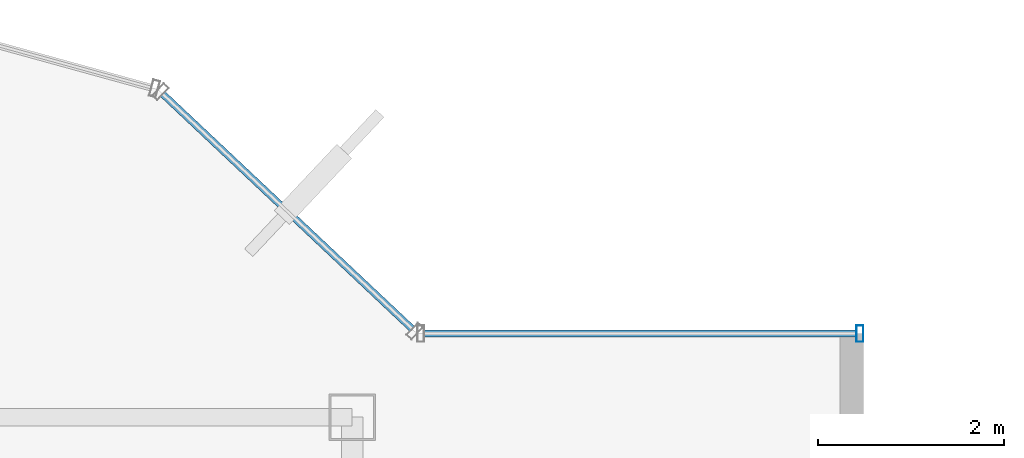
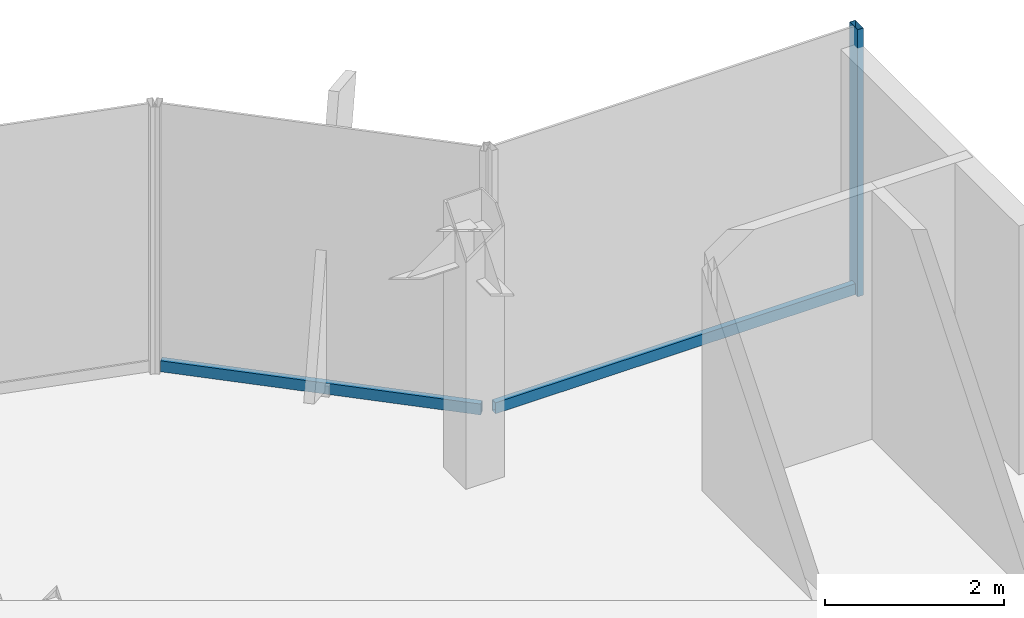
# One storey, part 15 of 22: 3 members, 2 elements without a shape of their own.
"""IFC4 building model written with IfcOpenShell, lengths in metres."""

from ifc_helpers import new_model, si_unit, derived_unit, direction, frame, origin, origin_2d, place, context, subcontext, project, spatial, hollow_rectangle, extrude, source, transform, mapped, material, material_profile, profile_set, type_object, element, aggregate, save


model = new_model("IFC4")

# Units and contexts
model_context = context("Model", 3, precision=1e-05, world=origin(), true_north=direction((0.0, 1.0)))
body_context = subcontext(model_context, "Body", "Model", "MODEL_VIEW")
ifc_project = project(units=[si_unit("LENGTHUNIT", "METRE"), si_unit("AREAUNIT", "SQUARE_METRE"), si_unit("VOLUMEUNIT", "CUBIC_METRE"), si_unit("PLANEANGLEUNIT", "RADIAN"), si_unit("MASSUNIT", "GRAM", prefix="KILO"), derived_unit("THERMALTRANSMITTANCEUNIT", [(si_unit("POWERUNIT", "WATT"), 1), (si_unit("LENGTHUNIT", "METRE"), -2), (si_unit("THERMODYNAMICTEMPERATUREUNIT", "KELVIN"), -1)])], contexts=[model_context])

# Site, building, storey
site_placement = place(None, origin())
site = spatial("IfcSite", under=ifc_project, at=site_placement, CompositionType="ELEMENT")
building_placement = place(site_placement, origin())
building = spatial("IfcBuilding", under=site, at=building_placement, Name="Skarnbrae Concourse Arena and Tower", CompositionType="ELEMENT")
storey_placement = place(building_placement, frame((0.0, 0.0, 280.699951171875)))
storey = spatial("IfcBuildingStorey", under=building, at=storey_placement, Name="L73", CompositionType="ELEMENT", Elevation=280.699951171875)

# Curtain wall, member
ifc_material = material(Name="Bronze anodised aluminium 6063-T6", Category="aluminium")
curtain_wall_type = type_object("IfcCurtainWallType", Name="CW-SYS-05-HIGHZONE", PredefinedType="USERDEFINED", material=ifc_material)
curtain_wall_1_placement = place(storey_placement, origin())
curtain_wall_1 = element("IfcCurtainWall", 1, at=curtain_wall_1_placement, inside=storey, type_object=curtain_wall_type, Name="L73 Unitised curtain wall CW-L73-E07", ObjectType="UNITISED CURTAIN WALL", PredefinedType="USERDEFINED")
ifc_material_profile_1 = material_profile(ifc_material, hollow_rectangle(XDim=0.074951171875, YDim=0.14990234375, WallThickness=0.00390625, at=origin_2d()), Name="ALU-TRAN-75X150")
ifc_profile_set_1 = profile_set([ifc_material_profile_1], Name="Bronze anodised aluminium 6063-T6")
member_type_1 = type_object("IfcMemberType", Name="CWT-CW-05", PredefinedType="USERDEFINED", material=ifc_profile_set_1)
shared_shape_1 = source(origin(), body_context, "Body", "SweptSolid", [
    extrude(hollow_rectangle(XDim=0.074951171875, YDim=0.14990234375, WallThickness=0.00390625, at=origin_2d()), origin(), (0.0, 0.0, 1.0), 4.650146484375),
])
member_1_placement = place(storey_placement, frame((38.925048828125, 35.300048828125, 0.074951171875), z_axis=(-1.0, 0.0, 0.0), x_axis=(0.0, -1.0, 0.0)))
member_1 = element("IfcMember", 2, at=member_1_placement, type_object=member_type_1, Name="CW-L73-E07 Transom 1", ObjectType="TRANSOM", PredefinedType="USERDEFINED", context=body_context, shape_type="MappedRepresentation", body=[
    mapped(shared_shape_1, transform((0.0, 0.0, 0.0))),
])

curtain_wall_2_placement = place(storey_placement, origin())
curtain_wall_2 = element("IfcCurtainWall", 3, at=curtain_wall_2_placement, inside=storey, type_object=curtain_wall_type, Name="L73 Unitised curtain wall CW-L73-E08", ObjectType="UNITISED CURTAIN WALL", PredefinedType="USERDEFINED")
shared_shape_2 = source(origin(), body_context, "Body", "SweptSolid", [
    extrude(hollow_rectangle(XDim=0.074951171875, YDim=0.14990234375, WallThickness=0.00390625, at=origin_2d()), origin(), (0.0, 0.0, 1.0), 3.68212890625),
])
member_2_placement = place(storey_placement, frame((34.1455078125, 35.351318359375, 0.074951171875), z_axis=(-0.728133808476, 0.685435012933, 0.0), x_axis=(-0.685435012933, -0.728133808476, 0.0)))
member_2 = element("IfcMember", 4, at=member_2_placement, type_object=member_type_1, Name="CW-L73-E08 Transom 1", ObjectType="TRANSOM", PredefinedType="USERDEFINED", context=body_context, shape_type="MappedRepresentation", body=[
    mapped(shared_shape_2, transform((0.0, 0.0, 0.0))),
])
aggregate(curtain_wall_2, [member_2])

# Member
ifc_material_profile_2 = material_profile(ifc_material, hollow_rectangle(XDim=0.074951171875, YDim=0.179931640625, WallThickness=0.00390625, at=origin_2d()), Name="ALU-MULL-75X180")
ifc_profile_set_2 = profile_set([ifc_material_profile_2], Name="Bronze anodised aluminium 6063-T6")
member_type_2 = type_object("IfcMemberType", Name="CWM-CW-05", PredefinedType="MULLION", material=ifc_profile_set_2)
shared_shape_3 = source(origin(), body_context, "Body", "SweptSolid", [
    extrude(hollow_rectangle(XDim=0.074951171875, YDim=0.179931640625, WallThickness=0.00390625, at=origin_2d()), origin(), (0.0, 0.0, 1.0), 3.650146484375),
])
member_3_placement = place(storey_placement, frame((38.96240234375, 35.300048828125, 0.0), z_axis=(0.0, 0.0, 1.0), x_axis=(-1.0, 0.0, 0.0)))
member_3 = element("IfcMember", 5, at=member_3_placement, type_object=member_type_2, Name="CW-L73-E07 Mullion 1", PredefinedType="MULLION", context=body_context, shape_type="MappedRepresentation", body=[
    mapped(shared_shape_3, transform((0.0, 0.0, 0.0))),
])

aggregate(curtain_wall_1, [member_3, member_1])

save(model, "model.ifc")
